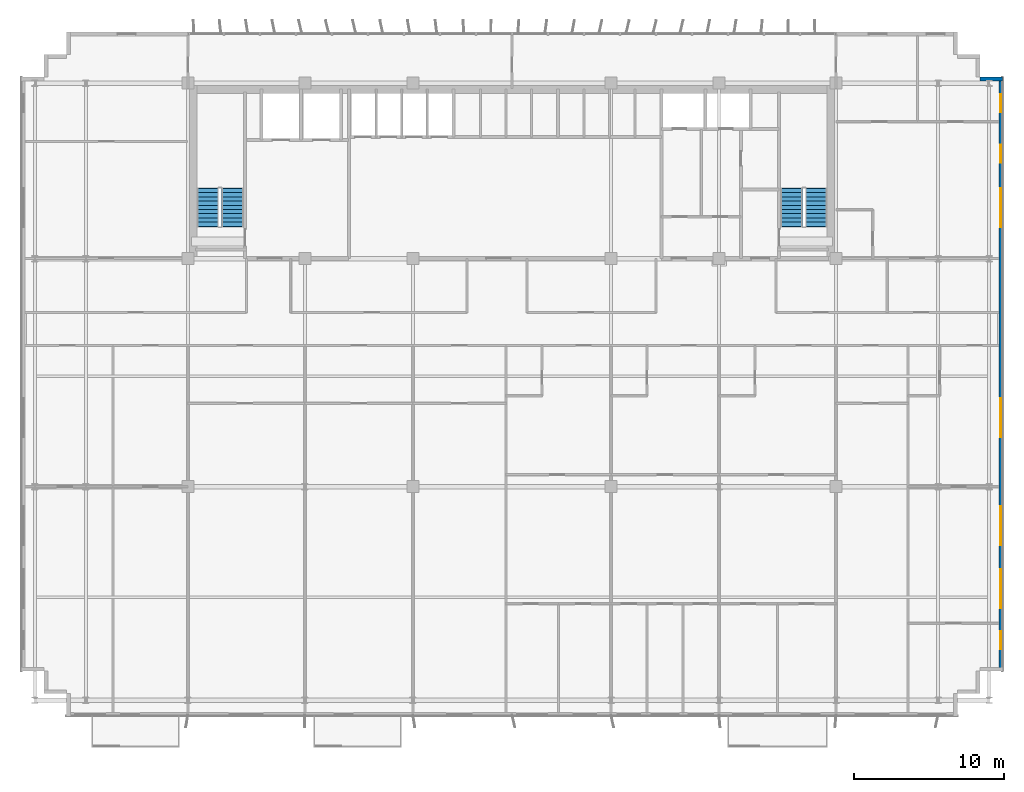
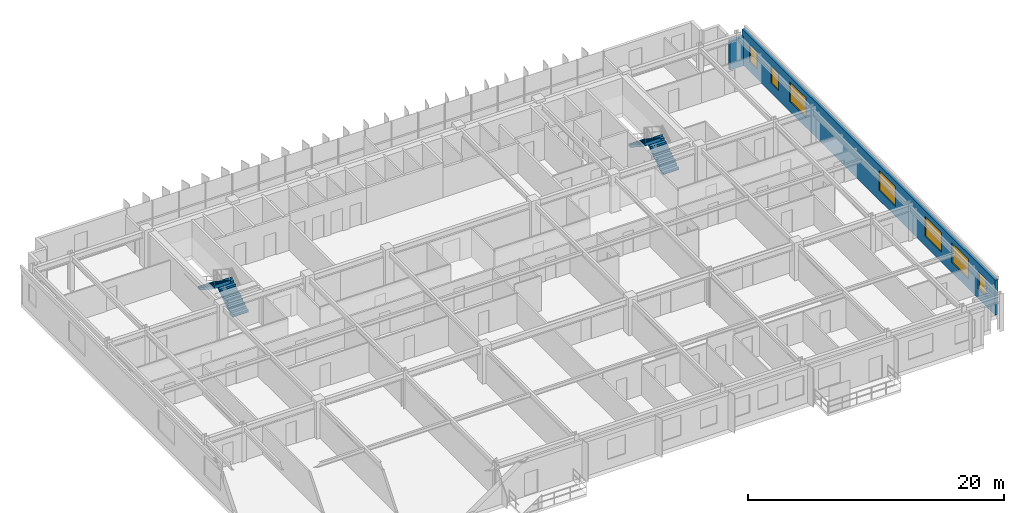
# One storey, part 19 of 22: 7 windows, 4 stair flights, 2 walls, 7 openings, 2 elements without a shape of their own.
"""IFC4 building model written with IfcOpenShell, lengths in metres."""

from ifc_helpers import new_model, si_unit, direction, frame, frame_2d, origin, place, context, subcontext, project, spatial, polyline, rectangle, outline, extrude, source, transform, mapped, material, layer, layer_set, type_object, element, fill, aggregate, save


model = new_model("IFC4")

# Units and contexts
model_context = context("Model", 3, precision=1e-05, world=origin(), true_north=direction((0.0, 1.0)))
body_context = subcontext(model_context, "Body", "Model", "MODEL_VIEW")
ifc_project = project(units=[si_unit("LENGTHUNIT", "METRE"), si_unit("AREAUNIT", "SQUARE_METRE"), si_unit("VOLUMEUNIT", "CUBIC_METRE"), si_unit("PLANEANGLEUNIT", "RADIAN"), si_unit("MASSUNIT", "GRAM", prefix="KILO")], contexts=[model_context])

# Site, building, storey
site_placement = place(None, origin())
site = spatial("IfcSite", under=ifc_project, at=site_placement, CompositionType="ELEMENT")
building_placement = place(site_placement, origin())
building = spatial("IfcBuilding", under=site, at=building_placement, Name="Trelvane Seafront Commons", CompositionType="ELEMENT")
storey_placement = place(building_placement, frame((0.0, 0.0, 81.699951171875)))
storey = spatial("IfcBuildingStorey", under=building, at=storey_placement, Name="L20", CompositionType="ELEMENT", Elevation=81.699951171875)

# Wall
ifc_material_1 = material(Name="Precast concrete C40/50", Category="concrete")
ifc_layer = layer(ifc_material_1, 0.260009765625, Name="ARCH-WALL-EXT260")
ifc_layer_set = layer_set([ifc_layer], Name="Precast concrete C40/50")
wall_type = type_object("IfcWallType", Name="ARCH-WALL-EXT260", PredefinedType="SOLIDWALL", material=ifc_layer_set)
wall_1_placement = place(storey_placement, frame((68.39990234375, 45.3701171875, 0.0), z_axis=(0.0, 0.0, 1.0), x_axis=(1.0, 0.0, 0.0)))
element("IfcWall", 1, at=wall_1_placement, inside=storey, type_object=wall_type, Name="EW-L20-00362", PredefinedType="SOLIDWALL", context=body_context, shape_type="SweptSolid", body=[
    extrude(rectangle(XDim=1.5, YDim=0.260009765625, at=frame_2d((0.75, 0.0))), origin(), (0.0, 0.0, 1.0), 2.751953125),
])

# Wall, openings, windows
wall_2_placement = place(storey_placement, frame((69.77001953125, 45.5, 0.0), z_axis=(0.0, 0.0, 1.0), x_axis=(0.0, -1.0, 0.0)))
wall_2 = element("IfcWall", 2, at=wall_2_placement, inside=storey, type_object=wall_type, Name="EW-L20-00363", PredefinedType="SOLIDWALL", context=body_context, shape_type="SweptSolid", body=[
    extrude(rectangle(XDim=39.60009765625, YDim=0.260009765625, at=frame_2d((19.800048828125, 0.0))), origin(), (0.0, 0.0, 1.0), 3.340087890625),
])
opening_1_placement = place(wall_2_placement, frame((36.949951171875, 0.0, 0.919921875)))
opening_1 = element("IfcOpeningElement", 3, at=opening_1_placement, cuts=wall_2, Name="Opening W05", PredefinedType="OPENING", context=body_context, shape_type="SweptSolid", body=[
    extrude(rectangle(XDim=1.199951171875, YDim=1.64990234375, at=frame_2d((0.60009765625, 0.824951171875))), frame((0.0, 0.139892578125, 0.0), z_axis=(0.0, -1.0, 0.0), x_axis=(1.0, 0.0, 0.0)), (0.0, 0.0, 1.0), 0.280029296875),
])
opening_2_placement = place(wall_2_placement, frame((32.800048828125, 0.0, 0.919921875)))
opening_2 = element("IfcOpeningElement", 4, at=opening_2_placement, cuts=wall_2, Name="Opening W04", PredefinedType="OPENING", context=body_context, shape_type="SweptSolid", body=[
    extrude(rectangle(XDim=2.60009765625, YDim=1.89990234375, at=frame_2d((1.300048828125, 0.949951171875))), frame((0.0, 0.139892578125, 0.0), z_axis=(0.0, -1.0, 0.0), x_axis=(1.0, 0.0, 0.0)), (0.0, 0.0, 1.0), 0.280029296875),
])
opening_3_placement = place(wall_2_placement, frame((28.60009765625, 0.0, 0.919921875)))
opening_3 = element("IfcOpeningElement", 5, at=opening_3_placement, cuts=wall_2, Name="Opening W04", PredefinedType="OPENING", context=body_context, shape_type="SweptSolid", body=[
    extrude(rectangle(XDim=2.60009765625, YDim=1.89990234375, at=frame_2d((1.300048828125, 0.949951171875))), frame((0.0, 0.139892578125, 0.0), z_axis=(0.0, -1.0, 0.0), x_axis=(1.0, 0.0, 0.0)), (0.0, 0.0, 1.0), 0.280029296875),
])
opening_4_placement = place(wall_2_placement, frame((21.39990234375, 0.0, 0.919921875)))
opening_4 = element("IfcOpeningElement", 6, at=opening_4_placement, cuts=wall_2, Name="Opening W04", PredefinedType="OPENING", context=body_context, shape_type="SweptSolid", body=[
    extrude(rectangle(XDim=2.60009765625, YDim=1.89990234375, at=frame_2d((1.300048828125, 0.949951171875))), frame((0.0, 0.139892578125, 0.0), z_axis=(0.0, -1.0, 0.0), x_axis=(1.0, 0.0, 0.0)), (0.0, 0.0, 1.0), 0.280029296875),
])
opening_5_placement = place(wall_2_placement, frame((7.39990234375, 0.0, 0.919921875)))
opening_5 = element("IfcOpeningElement", 7, at=opening_5_placement, cuts=wall_2, Name="Opening W04", PredefinedType="OPENING", context=body_context, shape_type="SweptSolid", body=[
    extrude(rectangle(XDim=2.60009765625, YDim=1.89990234375, at=frame_2d((1.300048828125, 0.949951171875))), frame((0.0, 0.139892578125, 0.0), z_axis=(0.0, -1.0, 0.0), x_axis=(1.0, 0.0, 0.0)), (0.0, 0.0, 1.0), 0.280029296875),
])
opening_6_placement = place(wall_2_placement, frame((4.5, 0.0, 0.919921875)))
opening_6 = element("IfcOpeningElement", 8, at=opening_6_placement, cuts=wall_2, Name="Opening W05", PredefinedType="OPENING", context=body_context, shape_type="SweptSolid", body=[
    extrude(rectangle(XDim=1.199951171875, YDim=1.64990234375, at=frame_2d((0.60009765625, 0.824951171875))), frame((0.0, 0.139892578125, 0.0), z_axis=(0.0, -1.0, 0.0), x_axis=(1.0, 0.0, 0.0)), (0.0, 0.0, 1.0), 0.280029296875),
])
opening_7_placement = place(wall_2_placement, frame((1.14990234375, 0.0, 0.919921875)))
opening_7 = element("IfcOpeningElement", 9, at=opening_7_placement, cuts=wall_2, Name="Opening W05", PredefinedType="OPENING", context=body_context, shape_type="SweptSolid", body=[
    extrude(rectangle(XDim=1.199951171875, YDim=1.64990234375, at=frame_2d((0.60009765625, 0.824951171875))), frame((0.0, 0.139892578125, 0.0), z_axis=(0.0, -1.0, 0.0), x_axis=(1.0, 0.0, 0.0)), (0.0, 0.0, 1.0), 0.280029296875),
])
ifc_material_2 = material(Name="Low-E coastal double glazing", Category="glass")
window_type_1 = type_object("IfcWindowType", Name="ARCH-WIN-W04", PartitioningType="SINGLE_PANEL", PredefinedType="WINDOW", material=ifc_material_2)
shared_shape_1 = source(origin(), body_context, "Body", "SweptSolid", [
    extrude(rectangle(XDim=2.60009765625, YDim=1.89990234375, at=frame_2d((1.300048828125, 0.949951171875))), frame((0.0, 0.030029296875, 0.0), z_axis=(0.0, -1.0, 0.0), x_axis=(1.0, 0.0, 0.0)), (0.0, 0.0, 1.0), 0.06005859375),
])
window_1_placement = place(opening_2_placement, origin())
window_1 = element("IfcWindow", 10, at=window_1_placement, inside=storey, type_object=window_type_1, Name="WIN-L20-EW-00405", OverallHeight=1.89990234375, OverallWidth=2.60009765625, PartitioningType="SINGLE_PANEL", PredefinedType="WINDOW", context=body_context, shape_type="MappedRepresentation", body=[
    mapped(shared_shape_1, transform((0.0, 0.0, 0.0), x_axis=(1.0, 0.0, 0.0), y_axis=(0.0, 1.0, 0.0), z_axis=(0.0, 0.0, 1.0), scale=1.0)),
])
fill(opening_2, window_1)
window_2_placement = place(opening_3_placement, origin())
window_2 = element("IfcWindow", 11, at=window_2_placement, inside=storey, type_object=window_type_1, Name="WIN-L20-EW-00406", OverallHeight=1.89990234375, OverallWidth=2.60009765625, PartitioningType="SINGLE_PANEL", PredefinedType="WINDOW", context=body_context, shape_type="MappedRepresentation", body=[
    mapped(shared_shape_1, transform((0.0, 0.0, 0.0), x_axis=(1.0, 0.0, 0.0), y_axis=(0.0, 1.0, 0.0), z_axis=(0.0, 0.0, 1.0), scale=1.0)),
])
fill(opening_3, window_2)
window_3_placement = place(opening_4_placement, origin())
window_3 = element("IfcWindow", 12, at=window_3_placement, inside=storey, type_object=window_type_1, Name="WIN-L20-EW-00407", OverallHeight=1.89990234375, OverallWidth=2.60009765625, PartitioningType="SINGLE_PANEL", PredefinedType="WINDOW", context=body_context, shape_type="MappedRepresentation", body=[
    mapped(shared_shape_1, transform((0.0, 0.0, 0.0), x_axis=(1.0, 0.0, 0.0), y_axis=(0.0, 1.0, 0.0), z_axis=(0.0, 0.0, 1.0), scale=1.0)),
])
fill(opening_4, window_3)
window_4_placement = place(opening_5_placement, origin())
window_4 = element("IfcWindow", 13, at=window_4_placement, inside=storey, type_object=window_type_1, Name="WIN-L20-EW-00408", OverallHeight=1.89990234375, OverallWidth=2.60009765625, PartitioningType="SINGLE_PANEL", PredefinedType="WINDOW", context=body_context, shape_type="MappedRepresentation", body=[
    mapped(shared_shape_1, transform((0.0, 0.0, 0.0), x_axis=(1.0, 0.0, 0.0), y_axis=(0.0, 1.0, 0.0), z_axis=(0.0, 0.0, 1.0), scale=1.0)),
])
fill(opening_5, window_4)
window_type_2 = type_object("IfcWindowType", Name="ARCH-WIN-W05", PartitioningType="SINGLE_PANEL", PredefinedType="WINDOW", material=ifc_material_2)
shared_shape_2 = source(origin(), body_context, "Body", "SweptSolid", [
    extrude(rectangle(XDim=1.199951171875, YDim=1.64990234375, at=frame_2d((0.60009765625, 0.824951171875))), frame((0.0, 0.030029296875, 0.0), z_axis=(0.0, -1.0, 0.0), x_axis=(1.0, 0.0, 0.0)), (0.0, 0.0, 1.0), 0.06005859375),
])
window_5_placement = place(opening_1_placement, origin())
window_5 = element("IfcWindow", 14, at=window_5_placement, inside=storey, type_object=window_type_2, Name="WIN-L20-EW-00404", OverallHeight=1.64990234375, OverallWidth=1.199951171875, PartitioningType="SINGLE_PANEL", PredefinedType="WINDOW", context=body_context, shape_type="MappedRepresentation", body=[
    mapped(shared_shape_2, transform((0.0, 0.0, 0.0), x_axis=(1.0, 0.0, 0.0), y_axis=(0.0, 1.0, 0.0), z_axis=(0.0, 0.0, 1.0), scale=1.0)),
])
fill(opening_1, window_5)
window_6_placement = place(opening_6_placement, origin())
window_6 = element("IfcWindow", 15, at=window_6_placement, inside=storey, type_object=window_type_2, Name="WIN-L20-EW-00409", OverallHeight=1.64990234375, OverallWidth=1.199951171875, PartitioningType="SINGLE_PANEL", PredefinedType="WINDOW", context=body_context, shape_type="MappedRepresentation", body=[
    mapped(shared_shape_2, transform((0.0, 0.0, 0.0), x_axis=(1.0, 0.0, 0.0), y_axis=(0.0, 1.0, 0.0), z_axis=(0.0, 0.0, 1.0), scale=1.0)),
])
fill(opening_6, window_6)
window_7_placement = place(opening_7_placement, origin())
window_7 = element("IfcWindow", 16, at=window_7_placement, inside=storey, type_object=window_type_2, Name="WIN-L20-EW-00410", OverallHeight=1.64990234375, OverallWidth=1.199951171875, PartitioningType="SINGLE_PANEL", PredefinedType="WINDOW", context=body_context, shape_type="MappedRepresentation", body=[
    mapped(shared_shape_2, transform((0.0, 0.0, 0.0), x_axis=(1.0, 0.0, 0.0), y_axis=(0.0, 1.0, 0.0), z_axis=(0.0, 0.0, 1.0), scale=1.0)),
])
fill(opening_7, window_7)

# Stair, stair flights
ifc_material_3 = material(Name="Concrete C40/50", Category="concrete")
stair_type_1 = type_object("IfcStairType", Name="ARCH-STR-ST-1-R20-180", PredefinedType="HALF_TURN_STAIR", material=ifc_material_3)
stair_1_placement = place(storey_placement, origin())
stair_1 = element("IfcStair", 17, at=stair_1_placement, inside=storey, type_object=stair_type_1, Name="L20 West Protected Firefighting Exit Stair ST-1", PredefinedType="HALF_TURN_STAIR")
stair_flight_type_1 = type_object("IfcStairFlightType", Name="ARCH-FLG-ST-1-R20-180", PredefinedType="STRAIGHT", material=ifc_material_3)
shared_shape_3 = source(origin(), body_context, "Body", "SweptSolid", [
    extrude(outline(polyline([(-0.050048828125, -0.02001953125), (-0.050048828125, 0.0), (0.0, 0.0), (0.0, 0.179931640625), (0.280029296875, 0.179931640625), (0.280029296875, 0.360107421875), (0.56005859375, 0.360107421875), (0.56005859375, 0.5400390625), (0.840087890625, 0.5400390625), (0.840087890625, 0.719970703125), (1.1201171875, 0.719970703125), (1.1201171875, 0.89990234375), (1.39990234375, 0.89990234375), (1.39990234375, 1.080078125), (1.679931640625, 1.080078125), (1.679931640625, 1.260009765625), (1.9599609375, 1.260009765625), (1.9599609375, 1.43994140625), (2.239990234375, 1.43994140625), (2.239990234375, 1.6201171875), (2.52001953125, 1.6201171875), (2.52001953125, 1.800048828125), (2.570068359375, 1.800048828125), (2.570068359375, 1.650146484375), (2.52001953125, 1.44189453125), (0.277099609375, -0.02001953125), (-0.050048828125, -0.02001953125)])), frame((0.0, 0.72509765625, 0.0), z_axis=(0.0, -1.0, 0.0), x_axis=(1.0, 0.0, 0.0)), (0.0, 0.0, 1.0), 1.449951171875),
])
stair_flight_1_placement = place(storey_placement, frame((18.574951171875, 35.550048828125, 0.0), z_axis=(0.0, 0.0, 1.0), x_axis=(0.0, 1.0, 0.0)))
stair_flight_1 = element("IfcStairFlight", 18, at=stair_flight_1_placement, type_object=stair_flight_type_1, Name="ST-1 flight 1", NumberOfRisers=10, NumberOfTreads=9, PredefinedType="STRAIGHT", RiserHeight=0.18, TreadLength=0.28, context=body_context, shape_type="MappedRepresentation", body=[
    mapped(shared_shape_3, transform((0.0, 0.0, 0.0), x_axis=(1.0, 0.0, 0.0), y_axis=(0.0, 1.0, 0.0), z_axis=(0.0, 0.0, 1.0), scale=1.0)),
])
stair_flight_2_placement = place(storey_placement, frame((16.925048828125, 38.070068359375, 1.800048828125), z_axis=(0.0, 0.0, 1.0), x_axis=(0.0, -1.0, 0.0)))
stair_flight_2 = element("IfcStairFlight", 19, at=stair_flight_2_placement, type_object=stair_flight_type_1, Name="ST-1 flight 2", NumberOfRisers=10, NumberOfTreads=9, PredefinedType="STRAIGHT", RiserHeight=0.18, TreadLength=0.28, context=body_context, shape_type="MappedRepresentation", body=[
    mapped(shared_shape_3, transform((0.0, 0.0, 0.0), x_axis=(1.0, 0.0, 0.0), y_axis=(0.0, 1.0, 0.0), z_axis=(0.0, 0.0, 1.0), scale=1.0)),
])
aggregate(stair_1, [stair_flight_1, stair_flight_2])

stair_type_2 = type_object("IfcStairType", Name="ARCH-STR-ST-2-R20-180", PredefinedType="HALF_TURN_STAIR", material=ifc_material_3)
stair_2_placement = place(storey_placement, origin())
stair_2 = element("IfcStair", 20, at=stair_2_placement, inside=storey, type_object=stair_type_2, Name="L20 East Protected Firefighting Exit Stair ST-2", PredefinedType="HALF_TURN_STAIR")
stair_flight_type_2 = type_object("IfcStairFlightType", Name="ARCH-FLG-ST-2-R20-180", PredefinedType="STRAIGHT", material=ifc_material_3)
stair_flight_3_placement = place(storey_placement, frame((57.47509765625, 35.550048828125, 0.0), z_axis=(0.0, 0.0, 1.0), x_axis=(0.0, 1.0, 0.0)))
stair_flight_3 = element("IfcStairFlight", 21, at=stair_flight_3_placement, type_object=stair_flight_type_2, Name="ST-2 flight 1", NumberOfRisers=10, NumberOfTreads=9, PredefinedType="STRAIGHT", RiserHeight=0.18, TreadLength=0.28, context=body_context, shape_type="MappedRepresentation", body=[
    mapped(shared_shape_3, transform((0.0, 0.0, 0.0), x_axis=(1.0, 0.0, 0.0), y_axis=(0.0, 1.0, 0.0), z_axis=(0.0, 0.0, 1.0), scale=1.0)),
])
stair_flight_4_placement = place(storey_placement, frame((55.824951171875, 38.070068359375, 1.800048828125), z_axis=(0.0, 0.0, 1.0), x_axis=(0.0, -1.0, 0.0)))
stair_flight_4 = element("IfcStairFlight", 22, at=stair_flight_4_placement, type_object=stair_flight_type_2, Name="ST-2 flight 2", NumberOfRisers=10, NumberOfTreads=9, PredefinedType="STRAIGHT", RiserHeight=0.18, TreadLength=0.28, context=body_context, shape_type="MappedRepresentation", body=[
    mapped(shared_shape_3, transform((0.0, 0.0, 0.0), x_axis=(1.0, 0.0, 0.0), y_axis=(0.0, 1.0, 0.0), z_axis=(0.0, 0.0, 1.0), scale=1.0)),
])
aggregate(stair_2, [stair_flight_3, stair_flight_4])

save(model, "model.ifc")
